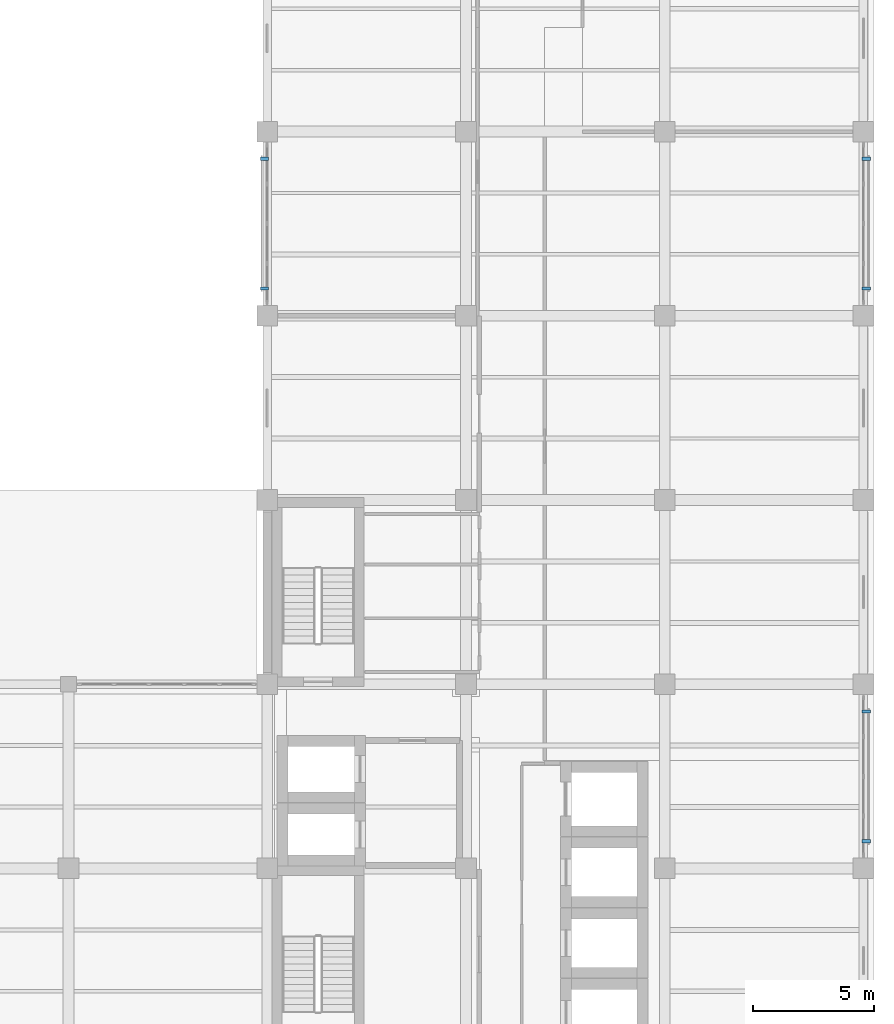
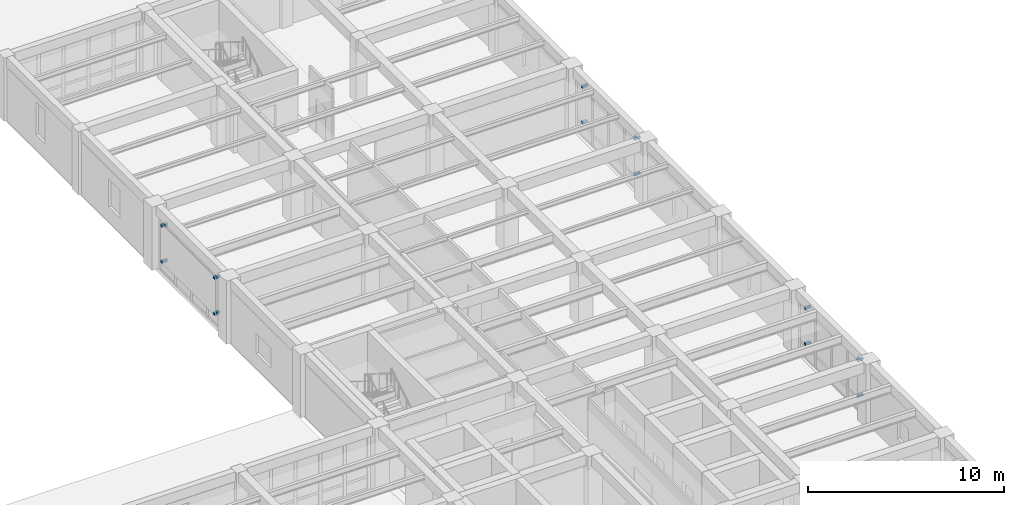
# One storey, part 16 of 22: 12 discrete accessories.
"""IFC4 building model written with IfcOpenShell, lengths in metres."""

from ifc_helpers import new_model, si_unit, direction, frame, origin, origin_2d, place, context, subcontext, project, spatial, rectangle, extrude, material, type_object, element, save


model = new_model("IFC4")

# Units and contexts
model_context = context("Model", 3, precision=1e-05, world=origin(), true_north=direction((0.0, 1.0)))
body_context = subcontext(model_context, "Body", "Model", "MODEL_VIEW")
ifc_project = project(units=[si_unit("LENGTHUNIT", "METRE"), si_unit("AREAUNIT", "SQUARE_METRE"), si_unit("VOLUMEUNIT", "CUBIC_METRE"), si_unit("PLANEANGLEUNIT", "RADIAN"), si_unit("MASSUNIT", "GRAM", prefix="KILO")], contexts=[model_context])

# Site, building, storey
site_placement = place(None, origin())
site = spatial("IfcSite", under=ifc_project, at=site_placement, CompositionType="ELEMENT")
building_placement = place(site_placement, origin())
building = spatial("IfcBuilding", under=site, at=building_placement, Name="Qandaris Square Conservatory and Botanical Centre", CompositionType="ELEMENT")
storey_placement = place(building_placement, frame((0.0, 0.0, 19.800048828125)))
storey = spatial("IfcBuildingStorey", under=building, at=storey_placement, Name="L04", CompositionType="ELEMENT", Elevation=19.800048828125)

# Discrete accessories
ifc_material = material(Name="Steel S355", Category="steel")
discrete_accessory_type = type_object("IfcDiscreteAccessoryType", Name="Mashrabiya Support Outrigger Bracket", PredefinedType="BRACKET", material=ifc_material)
for number, where, z_axis, x_axis, name in (
    (1, (163.909912109375, 32.925048828125, 0.8515625), (0.0, 0.0, 1.0), (0.0, 1.0, 0.0), "Mashrabiya Bracket CW-TWR-L04-2-3-BRK-6-207"),
    (2, (163.909912109375, 32.925048828125, 3.08984375), (0.0, 0.0, 1.0), (0.0, 1.0, 0.0), "Mashrabiya Bracket CW-TWR-L04-2-3-BRK-6-230"),
    (3, (163.909912109375, 38.27490234375, 0.8515625), (0.0, 0.0, 1.0), (0.0, 1.0, 0.0), "Mashrabiya Bracket CW-TWR-L04-2-3-BRK-59-207"),
    (4, (163.909912109375, 38.27490234375, 3.08984375), (0.0, 0.0, 1.0), (0.0, 1.0, 0.0), "Mashrabiya Bracket CW-TWR-L04-2-3-BRK-59-230"),
    (5, (163.909912109375, 55.72509765625, 0.8515625), (0.0, 0.0, 1.0), (0.0, 1.0, 0.0), "Mashrabiya Bracket CW-TWR-L04-2-6-BRK-6-207"),
    (6, (163.909912109375, 55.72509765625, 3.08984375), (0.0, 0.0, 1.0), (0.0, 1.0, 0.0), "Mashrabiya Bracket CW-TWR-L04-2-6-BRK-6-230"),
    (7, (163.909912109375, 61.074951171875, 0.8515625), (0.0, 0.0, 1.0), (0.0, 1.0, 0.0), "Mashrabiya Bracket CW-TWR-L04-2-6-BRK-59-207"),
    (8, (163.909912109375, 61.074951171875, 3.08984375), (0.0, 0.0, 1.0), (0.0, 1.0, 0.0), "Mashrabiya Bracket CW-TWR-L04-2-6-BRK-59-230"),
    (9, (139.090087890625, 61.074951171875, 0.8515625), (0.0, 0.0, 1.0), (0.0, -1.0, 0.0), "Mashrabiya Bracket CW-TWR-L04-4-3-BRK-6-207"),
    (10, (139.090087890625, 61.074951171875, 3.08984375), (0.0, 0.0, 1.0), (0.0, -1.0, 0.0), "Mashrabiya Bracket CW-TWR-L04-4-3-BRK-6-230"),
    (11, (139.090087890625, 55.72509765625, 0.8515625), (0.0, 0.0, 1.0), (0.0, -1.0, 0.0), "Mashrabiya Bracket CW-TWR-L04-4-3-BRK-59-207"),
    (12, (139.090087890625, 55.72509765625, 3.08984375), (0.0, 0.0, 1.0), (0.0, -1.0, 0.0), "Mashrabiya Bracket CW-TWR-L04-4-3-BRK-59-230"),
):
    element("IfcDiscreteAccessory", number, at=place(storey_placement, frame(where, z_axis=z_axis, x_axis=x_axis)), inside=storey, type_object=discrete_accessory_type, Name=name, PredefinedType="BRACKET", context=body_context, shape_type="SweptSolid", body=[
        extrude(rectangle(XDim=0.139892578125, YDim=0.340087890625, at=origin_2d()), origin(), (0.0, 0.0, 1.0), 0.139892578125),
    ])

save(model, "model.ifc")
